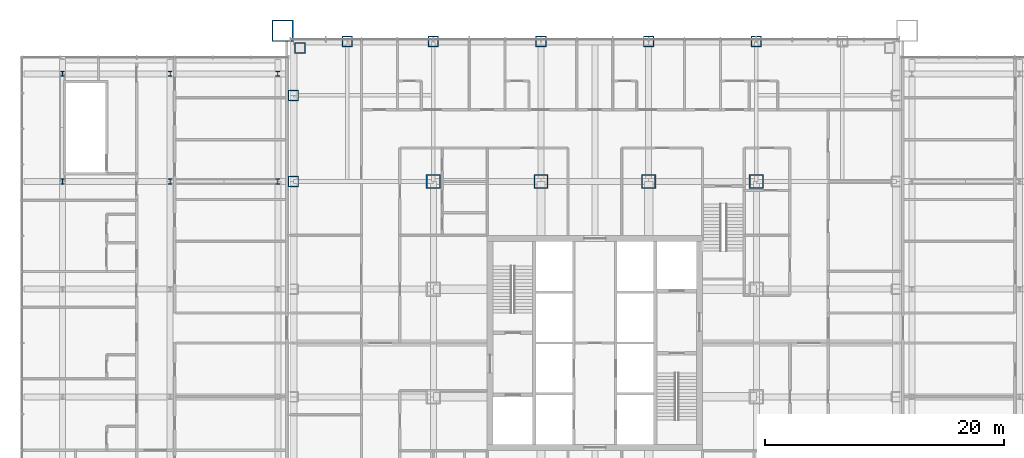
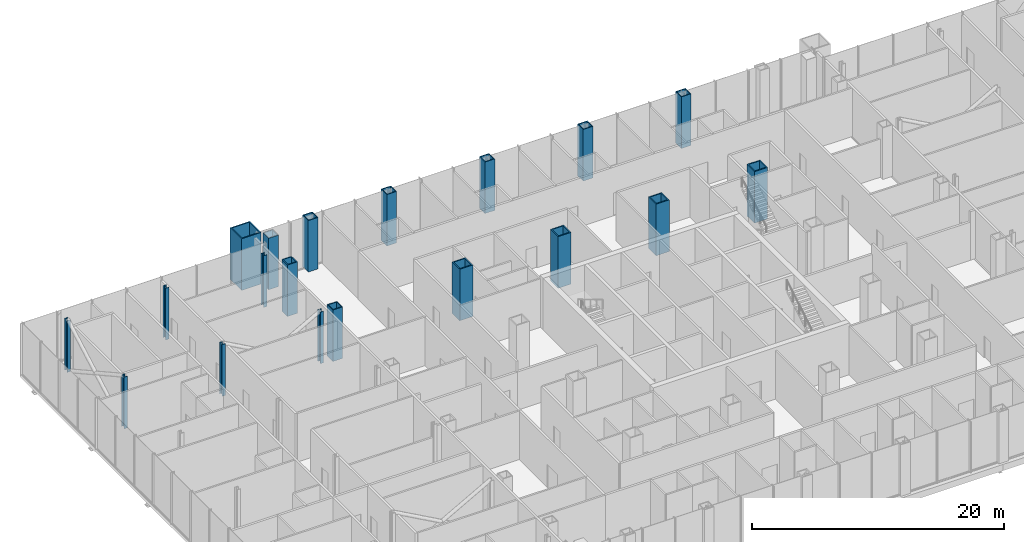
# One storey, part 3 of 28: 19 columns.
"""IFC4 building model written with IfcOpenShell, lengths in metres."""

from ifc_helpers import new_model, si_unit, direction, frame, origin, origin_2d, place, context, subcontext, project, spatial, hollow_rectangle, i_section, extrude, material, material_profile, profile_set, type_object, element, save


model = new_model("IFC4")

# Units and contexts
model_context = context("Model", 3, precision=1e-05, world=origin(), true_north=direction((0.0, 1.0)))
body_context = subcontext(model_context, "Body", "Model", "MODEL_VIEW")
ifc_project = project(units=[si_unit("LENGTHUNIT", "METRE"), si_unit("AREAUNIT", "SQUARE_METRE"), si_unit("VOLUMEUNIT", "CUBIC_METRE"), si_unit("PLANEANGLEUNIT", "RADIAN"), si_unit("MASSUNIT", "GRAM", prefix="KILO")], contexts=[model_context])

# Site, building, storey
site_placement = place(None, origin())
site = spatial("IfcSite", under=ifc_project, at=site_placement, CompositionType="ELEMENT")
building_placement = place(site_placement, origin())
building = spatial("IfcBuilding", under=site, at=building_placement, Name="Malebo Sky Hospital", CompositionType="ELEMENT")
storey_placement = place(building_placement, frame((0.0, 0.0, 21.0)))
storey = spatial("IfcBuildingStorey", under=building, at=storey_placement, Name="L04", CompositionType="ELEMENT", Elevation=21.0)

# Columns
ifc_material_1 = material(Name="Steel S460", Category="steel")
ifc_material_profile_1 = material_profile(ifc_material_1, hollow_rectangle(XDim=1.199951171875, YDim=1.199951171875, WallThickness=0.10009765625, at=origin_2d()), Name="BOX 1200x1200x100")
ifc_profile_set_1 = profile_set([ifc_material_profile_1], Name="Steel S460")
column_type_1 = type_object("IfcColumnType", Name="INNER COLUMN BOX 1200x1200x100", PredefinedType="COLUMN", material=ifc_profile_set_1)
for number, where, z_axis, x_axis, name in (
    (1, (73.5, 75.5, 0.0), (0.0, 0.0, 1.0), (1.0, 0.0, 0.0), "Column IC11 L04"),
    (2, (46.5, 75.5, 0.0), (0.0, 0.0, 1.0), (1.0, 0.0, 0.0), "Column IC11 L04"),
    (3, (55.5, 75.5, 0.0), (0.0, 0.0, 1.0), (1.0, 0.0, 0.0), "Column IC11 L04"),
    (4, (64.5, 75.5, 0.0), (0.0, 0.0, 1.0), (1.0, 0.0, 0.0), "Column IC11 L04"),
):
    element("IfcColumn", number, at=place(storey_placement, frame(where, z_axis=z_axis, x_axis=x_axis)), inside=storey, type_object=column_type_1, Name=name, PredefinedType="COLUMN", context=body_context, shape_type="SweptSolid", body=[
        extrude(hollow_rectangle(XDim=1.199951171875, YDim=1.199951171875, WallThickness=0.10009765625, at=origin_2d()), origin(), (0.0, 0.0, 1.0), 5.0),
    ])
ifc_material_profile_2 = material_profile(ifc_material_1, hollow_rectangle(XDim=1.800048828125, YDim=1.800048828125, WallThickness=0.10009765625, at=origin_2d()), Name="BOX 1800x1800x100")
ifc_profile_set_2 = profile_set([ifc_material_profile_2], Name="Steel S460")
column_type_2 = type_object("IfcColumnType", Name="MEGA COLUMN BOX 1800x1800x100", PredefinedType="COLUMN", material=ifc_profile_set_2)
column_placement = place(storey_placement, frame((33.89990234375, 88.10009765625, 0.0), z_axis=(0.0, 0.0, 1.0), x_axis=(1.0, 0.0, 0.0)))
element("IfcColumn", 5, at=column_placement, inside=storey, type_object=column_type_2, Name="Mega column NW L04", PredefinedType="COLUMN", context=body_context, shape_type="SweptSolid", body=[
    extrude(hollow_rectangle(XDim=1.800048828125, YDim=1.800048828125, WallThickness=0.10009765625, at=origin_2d()), origin(), (0.0, 0.0, 1.0), 5.0),
])
ifc_material_profile_3 = material_profile(ifc_material_1, hollow_rectangle(XDim=0.89990234375, YDim=0.89990234375, WallThickness=0.080078125, at=origin_2d()), Name="BOX 900x900x80")
ifc_profile_set_3 = profile_set([ifc_material_profile_3], Name="Steel S460")
column_type_3 = type_object("IfcColumnType", Name="PERIMETER COLUMN BOX 900x900x80", PredefinedType="COLUMN", material=ifc_profile_set_3)
for number, where, z_axis, x_axis, name in (
    (6, (39.300048828125, 87.199951171875, 0.0), (0.0, 0.0, 1.0), (1.0, 0.0, 0.0), "Column PC8 L04"),
    (7, (46.5, 87.199951171875, 0.0), (0.0, 0.0, 1.0), (1.0, 0.0, 0.0), "Column PC8 L04"),
    (8, (55.5, 87.199951171875, 0.0), (0.0, 0.0, 1.0), (1.0, 0.0, 0.0), "Column PC8 L04"),
    (9, (64.5, 87.199951171875, 0.0), (0.0, 0.0, 1.0), (1.0, 0.0, 0.0), "Column PC8 L04"),
    (10, (73.5, 87.199951171875, 0.0), (0.0, 0.0, 1.0), (1.0, 0.0, 0.0), "Column PC8 L04"),
    (11, (34.800048828125, 75.5, 0.0), (0.0, 0.0, 1.0), (1.0, 0.0, 0.0), "Column PC8 L04"),
    (12, (34.800048828125, 82.699951171875, 0.0), (0.0, 0.0, 1.0), (1.0, 0.0, 0.0), "Column PC8 L04"),
    (13, (35.35009765625, 86.64990234375, 0.0), (0.0, 0.0, 1.0), (1.0, 0.0, 0.0), "Column PC8 L04"),
):
    element("IfcColumn", number, at=place(storey_placement, frame(where, z_axis=z_axis, x_axis=x_axis)), inside=storey, type_object=column_type_3, Name=name, PredefinedType="COLUMN", context=body_context, shape_type="SweptSolid", body=[
        extrude(hollow_rectangle(XDim=0.89990234375, YDim=0.89990234375, WallThickness=0.080078125, at=origin_2d()), origin(), (0.0, 0.0, 1.0), 5.0),
    ])
ifc_material_2 = material(Name="Steel S355", Category="steel")
ifc_material_profile_4 = material_profile(ifc_material_2, i_section(OverallWidth=0.306884765625, OverallDepth=0.431884765625, WebThickness=0.02099609375, FlangeThickness=0.0400390625, FilletRadius=0.027099609375, at=origin_2d()), Name="HEM 400")
ifc_profile_set_4 = profile_set([ifc_material_profile_4], Name="Steel S355")
column_type_4 = type_object("IfcColumnType", Name="PODIUM COLUMN HEM 400", PredefinedType="COLUMN", material=ifc_profile_set_4)
for number, where, z_axis, x_axis, name in (
    (14, (15.5, 75.5, 0.0), (0.0, 0.0, 1.0), (1.0, 0.0, 0.0), "Podium column 15.5/75.5 L04"),
    (15, (15.5, 84.5, 0.0), (0.0, 0.0, 1.0), (1.0, 0.0, 0.0), "Podium column 15.5/84.5 L04"),
    (16, (24.5, 75.5, 0.0), (0.0, 0.0, 1.0), (1.0, 0.0, 0.0), "Podium column 24.5/75.5 L04"),
    (17, (24.5, 84.5, 0.0), (0.0, 0.0, 1.0), (1.0, 0.0, 0.0), "Podium column 24.5/84.5 L04"),
    (18, (33.5, 75.5, 0.0), (0.0, 0.0, 1.0), (1.0, 0.0, 0.0), "Podium column 33.5/75.5 L04"),
    (19, (33.5, 84.5, 0.0), (0.0, 0.0, 1.0), (1.0, 0.0, 0.0), "Podium column 33.5/84.5 L04"),
):
    element("IfcColumn", number, at=place(storey_placement, frame(where, z_axis=z_axis, x_axis=x_axis)), inside=storey, type_object=column_type_4, Name=name, PredefinedType="COLUMN", context=body_context, shape_type="SweptSolid", body=[
        extrude(i_section(OverallWidth=0.306884765625, OverallDepth=0.431884765625, WebThickness=0.02099609375, FlangeThickness=0.0400390625, FilletRadius=0.027099609375, at=origin_2d()), origin(), (0.0, 0.0, 1.0), 5.0),
    ])

save(model, "model.ifc")
